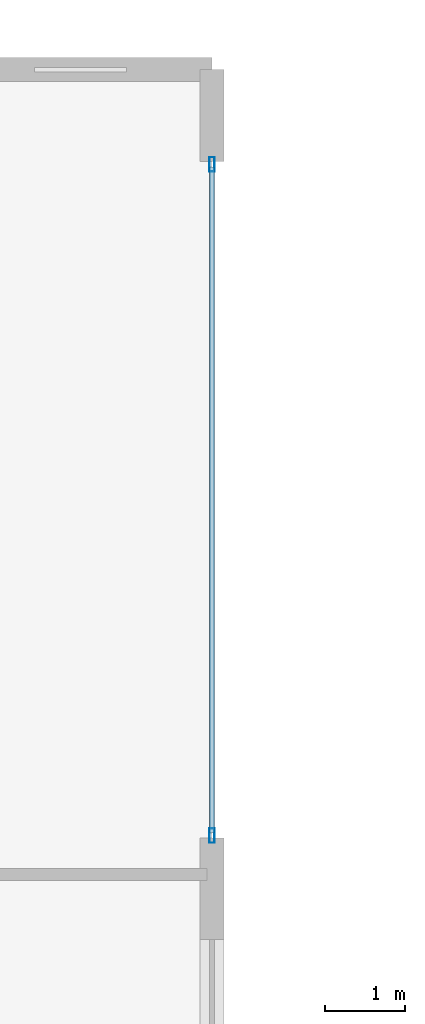
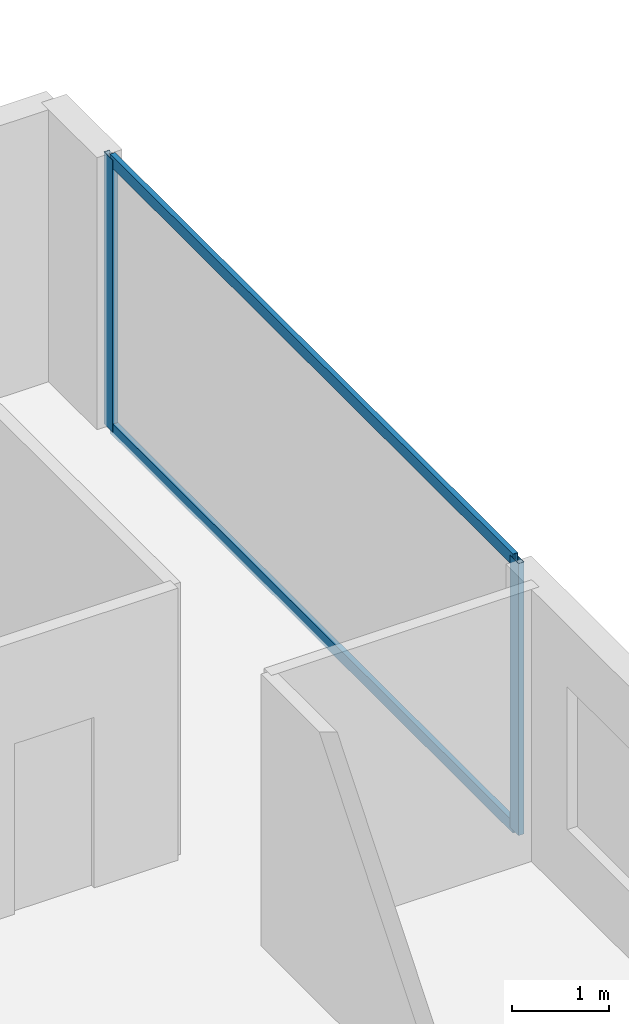
# One storey, part 19 of 29: 4 members, 1 element without a shape of its own.
"""IFC4 building model written with IfcOpenShell, lengths in metres."""

from ifc_helpers import new_model, si_unit, direction, frame, origin, origin_2d, place, context, subcontext, project, spatial, hollow_rectangle, extrude, material, layer, layer_set, material_profile, profile_set, type_object, element, aggregate, save


model = new_model("IFC4")

# Units and contexts
model_context = context("Model", 3, precision=1e-05, world=origin(), true_north=direction((0.0, 1.0)))
body_context = subcontext(model_context, "Body", "Model", "MODEL_VIEW")
ifc_project = project(units=[si_unit("LENGTHUNIT", "METRE"), si_unit("AREAUNIT", "SQUARE_METRE"), si_unit("VOLUMEUNIT", "CUBIC_METRE"), si_unit("PLANEANGLEUNIT", "RADIAN"), si_unit("MASSUNIT", "GRAM", prefix="KILO")], contexts=[model_context])

# Site, building, storey
site_placement = place(None, origin())
site = spatial("IfcSite", under=ifc_project, at=site_placement, CompositionType="ELEMENT")
building_placement = place(site_placement, origin())
building = spatial("IfcBuilding", under=site, at=building_placement, Name="Zuhayl Quay Hotel", CompositionType="ELEMENT")
storey_placement = place(building_placement, frame((0.0, 0.0, 106.60009765625)))
storey = spatial("IfcBuildingStorey", under=building, at=storey_placement, Name="L26", CompositionType="ELEMENT", Elevation=106.60009765625)

# Curtain wall, members
ifc_material_1 = material(Name="Anodised Aluminium 6063-T6", Category="aluminium")
ifc_layer = layer(ifc_material_1, 0.179931640625, Name="Anodised Aluminium 6063-T6", Category="aluminium")
ifc_layer_set = layer_set([ifc_layer], Name="Anodised Aluminium 6063-T6")
curtain_wall_type = type_object("IfcCurtainWallType", Name="CW_SYS_Z2", PredefinedType="USERDEFINED", material=ifc_layer_set)
curtain_wall_placement = place(storey_placement, origin())
curtain_wall = element("IfcCurtainWall", 1, at=curtain_wall_placement, inside=storey, type_object=curtain_wall_type, Name="L26 Curtain Wall ENV_L26_E11_CW1", ObjectType="UNITISED CURTAIN WALL", PredefinedType="USERDEFINED")
ifc_material_2 = material(Name="Black-anodised aluminium 6063-T6", Category="aluminium")
ifc_material_profile_1 = material_profile(ifc_material_2, hollow_rectangle(XDim=0.06494140625, YDim=0.179931640625, WallThickness=0.00341796875, at=origin_2d()), Name="ALU180X65")
ifc_profile_set_1 = profile_set([ifc_material_profile_1], Name="Black-anodised aluminium 6063-T6")
member_type_1 = type_object("IfcMemberType", Name="MB_CW_MUL_180", PredefinedType="MULLION", material=ifc_profile_set_1)
member_1_placement = place(storey_placement, frame((23.89990234375, 23.717529296875, 0.0), z_axis=(0.0, 0.0, 1.0), x_axis=(1.0, 0.0, 0.0)))
member_1 = element("IfcMember", 2, at=member_1_placement, type_object=member_type_1, Name="CW-Z2 mullion 1", PredefinedType="MULLION", context=body_context, shape_type="SweptSolid", body=[
    extrude(hollow_rectangle(XDim=0.06494140625, YDim=0.179931640625, WallThickness=0.00341796875, at=origin_2d()), origin(), (0.0, 0.0, 1.0), 3.429931640625),
])
member_2_placement = place(storey_placement, frame((23.89990234375, 15.33251953125, 0.0), z_axis=(0.0, 0.0, 1.0), x_axis=(1.0, 0.0, 0.0)))
member_2 = element("IfcMember", 3, at=member_2_placement, type_object=member_type_1, Name="CW-Z2 mullion 2", PredefinedType="MULLION", context=body_context, shape_type="SweptSolid", body=[
    extrude(hollow_rectangle(XDim=0.06494140625, YDim=0.179931640625, WallThickness=0.00341796875, at=origin_2d()), origin(), (0.0, 0.0, 1.0), 3.429931640625),
])
ifc_material_profile_2 = material_profile(ifc_material_2, hollow_rectangle(XDim=0.06005859375, YDim=0.14990234375, WallThickness=0.00341796875, at=origin_2d()), Name="ALU150X60")
ifc_profile_set_2 = profile_set([ifc_material_profile_2], Name="Black-anodised aluminium 6063-T6")
member_type_2 = type_object("IfcMemberType", Name="MB_CW_TRN_150", PredefinedType="USERDEFINED", material=ifc_profile_set_2)
member_3_placement = place(storey_placement, frame((23.89990234375, 23.68505859375, 0.02978515625), z_axis=(0.0, -1.0, 0.0), x_axis=(1.0, 0.0, 0.0)))
member_3 = element("IfcMember", 4, at=member_3_placement, type_object=member_type_2, Name="CW-Z2 transom 1.1", ObjectType="TRANSOM", PredefinedType="USERDEFINED", context=body_context, shape_type="SweptSolid", body=[
    extrude(hollow_rectangle(XDim=0.06005859375, YDim=0.14990234375, WallThickness=0.00341796875, at=origin_2d()), origin(), (0.0, 0.0, 1.0), 8.320068359375),
])
member_4_placement = place(storey_placement, frame((23.89990234375, 23.68505859375, 3.39990234375), z_axis=(0.0, -1.0, 0.0), x_axis=(1.0, 0.0, 0.0)))
member_4 = element("IfcMember", 5, at=member_4_placement, type_object=member_type_2, Name="CW-Z2 transom 1.2", ObjectType="TRANSOM", PredefinedType="USERDEFINED", context=body_context, shape_type="SweptSolid", body=[
    extrude(hollow_rectangle(XDim=0.06005859375, YDim=0.14990234375, WallThickness=0.00341796875, at=origin_2d()), origin(), (0.0, 0.0, 1.0), 8.320068359375),
])
aggregate(curtain_wall, [member_1, member_2, member_3, member_4])

save(model, "model.ifc")
